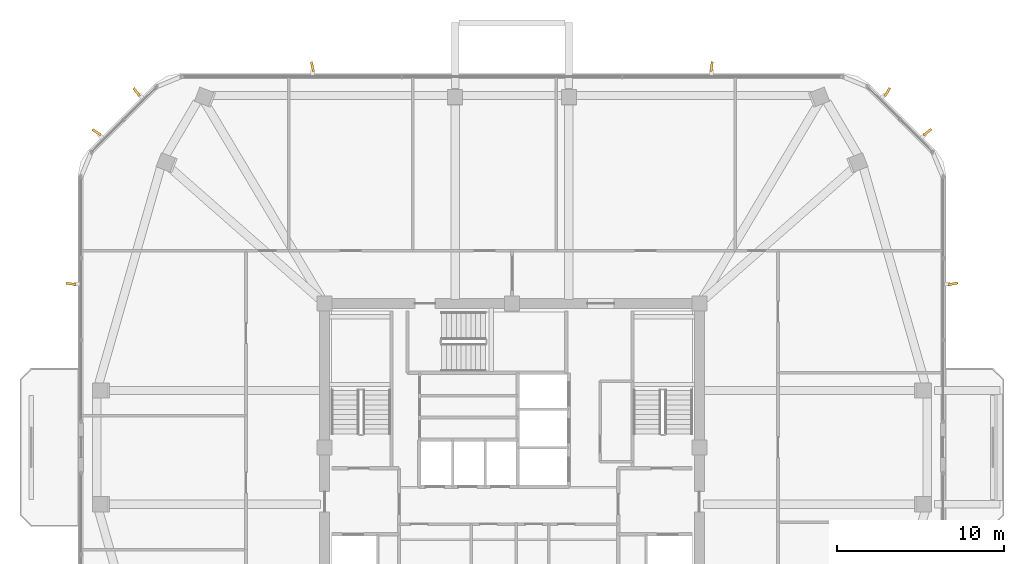
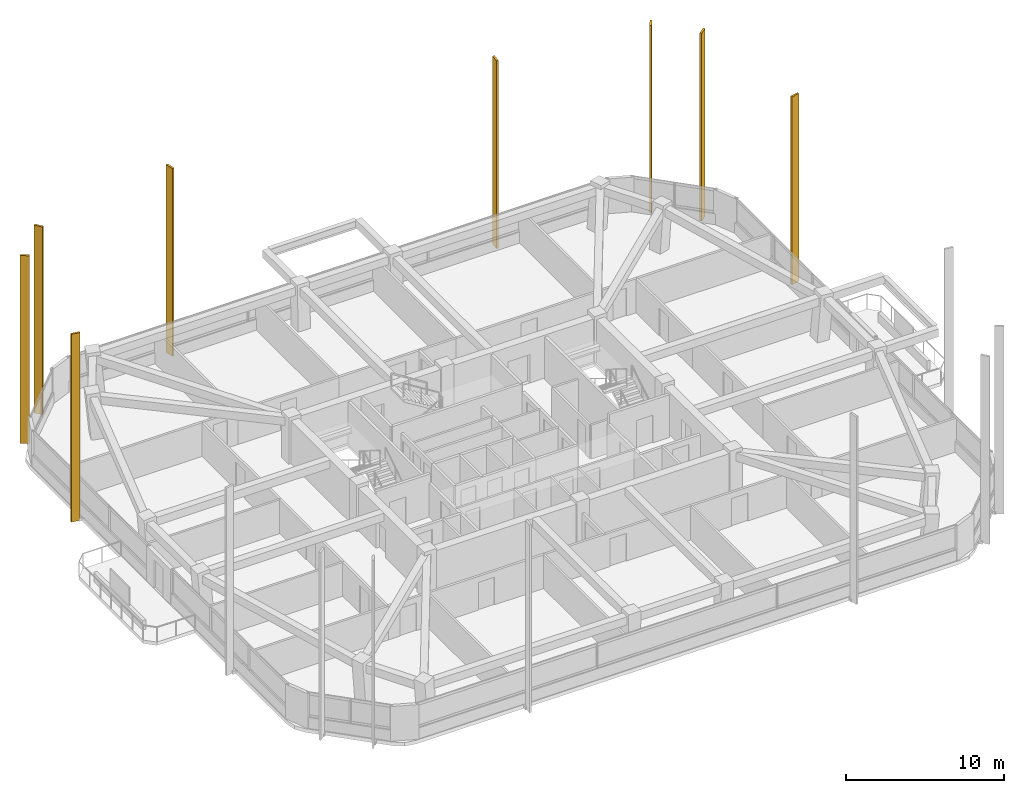
# One storey, part 17 of 17: 8 shading devices.
"""IFC4 building model written with IfcOpenShell, lengths in metres."""

from ifc_helpers import new_model, si_unit, derived_unit, direction, frame, origin, origin_2d, place, context, subcontext, project, spatial, rectangle, extrude, material, type_object, element, save


model = new_model("IFC4")

# Units and contexts
model_context = context("Model", 3, precision=1e-05, world=origin(), true_north=direction((0.0, 1.0)))
body_context = subcontext(model_context, "Body", "Model", "MODEL_VIEW")
ifc_project = project(units=[si_unit("LENGTHUNIT", "METRE"), si_unit("AREAUNIT", "SQUARE_METRE"), si_unit("VOLUMEUNIT", "CUBIC_METRE"), si_unit("PLANEANGLEUNIT", "RADIAN"), si_unit("MASSUNIT", "GRAM", prefix="KILO"), derived_unit("THERMALTRANSMITTANCEUNIT", [(si_unit("POWERUNIT", "WATT"), 1), (si_unit("LENGTHUNIT", "METRE"), -2), (si_unit("THERMODYNAMICTEMPERATUREUNIT", "KELVIN"), -1)])], contexts=[model_context])

# Site, building, storey
site_placement = place(None, origin())
site = spatial("IfcSite", under=ifc_project, at=site_placement, CompositionType="ELEMENT")
building_placement = place(site_placement, origin())
building = spatial("IfcBuilding", under=site, at=building_placement, Name="Koralith Skygarden Medical Center", CompositionType="ELEMENT")
storey_placement = place(building_placement, frame((0.0, 0.0, 207.179931640625)))
storey = spatial("IfcBuildingStorey", under=building, at=storey_placement, Name="L53", CompositionType="ELEMENT", Elevation=207.179931640625)

# Shading devices
ifc_material = material(Name="Aluminium 6063-T6", Category="aluminium")
shading_device_type = type_object("IfcShadingDeviceType", Name="Limestone-Clad Solar Storm Fin 600", PredefinedType="USERDEFINED", material=ifc_material)
for number, where, z_axis, x_axis, name in (
    (1, (63.35302734375, 35.672119140625, -0.2001953125), (0.0, 0.0, 1.0), (0.977805182602, 0.209516168534, 0.0), "L53 E Harmonic Solar Storm Fin 2"),
    (2, (61.827880859375, 44.735107421875, -0.2001953125), (0.0, 0.0, 1.0), (0.788472580397, 0.615069906565, 0.0), "L53 NE Harmonic Solar Storm Fin 1"),
    (3, (59.429931640625, 47.133056640625, -0.2001953125), (0.0, 0.0, 1.0), (0.543262371759, 0.839562978835, 0.0), "L53 NE Harmonic Solar Storm Fin 2"),
    (4, (48.929931640625, 48.656982421875, -0.2001953125), (0.0, 0.0, 1.0), (0.122614206542, 0.992454410214, 0.0), "L53 N Harmonic Solar Storm Fin 1"),
    (5, (25.071044921875, 48.656982421875, -0.2001953125), (0.0, 0.0, 1.0), (-0.209516168534, 0.977805182602, 0.0), "L53 N Harmonic Solar Storm Fin 2"),
    (6, (14.569091796875, 47.133056640625, -0.2001953125), (0.0, 0.0, 1.0), (-0.615069906565, 0.788472580397, 0.0), "L53 NW Harmonic Solar Storm Fin 1"),
    (7, (12.1708984375, 44.735107421875, -0.2001953125), (0.0, 0.0, 1.0), (-0.839562978835, 0.543262371759, 0.0), "L53 NW Harmonic Solar Storm Fin 2"),
    (8, (10.64697265625, 35.672119140625, -0.2001953125), (0.0, 0.0, 1.0), (-0.992454410214, 0.122614206542, 0.0), "L53 W Harmonic Solar Storm Fin 1"),
):
    element("IfcShadingDevice", number, at=place(storey_placement, frame(where, z_axis=z_axis, x_axis=x_axis)), inside=storey, type_object=shading_device_type, Name=name, ObjectType="SOLAR FIN", PredefinedType="USERDEFINED", context=body_context, shape_type="SweptSolid", body=[
        extrude(rectangle(XDim=0.60009765625, YDim=0.139892578125, at=origin_2d()), origin(), (0.0, 0.0, 1.0), 14.550048828125),
    ])

save(model, "model.ifc")
